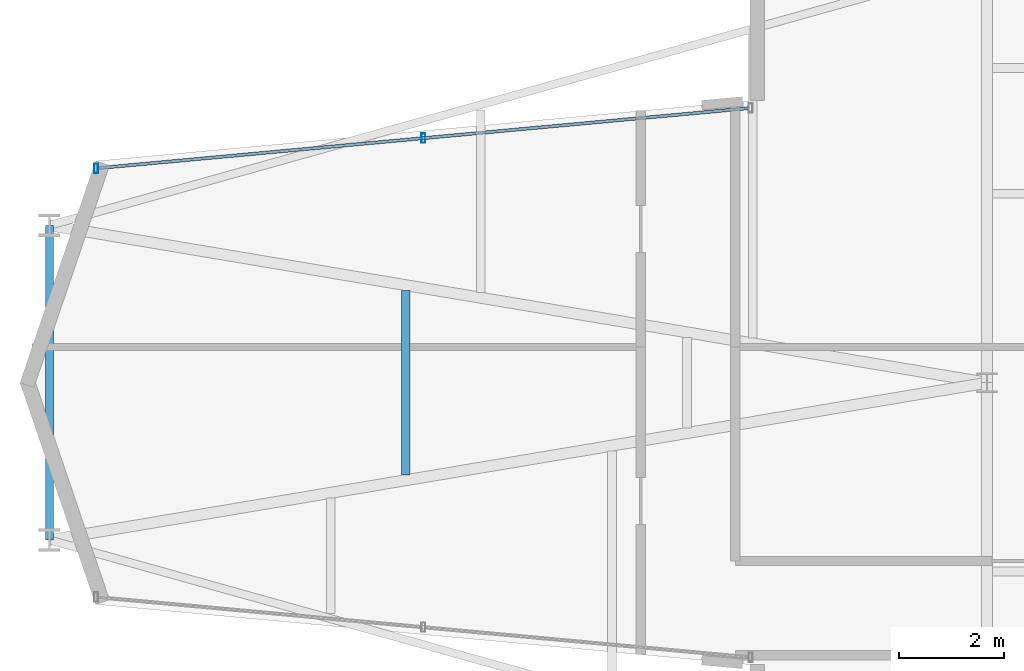
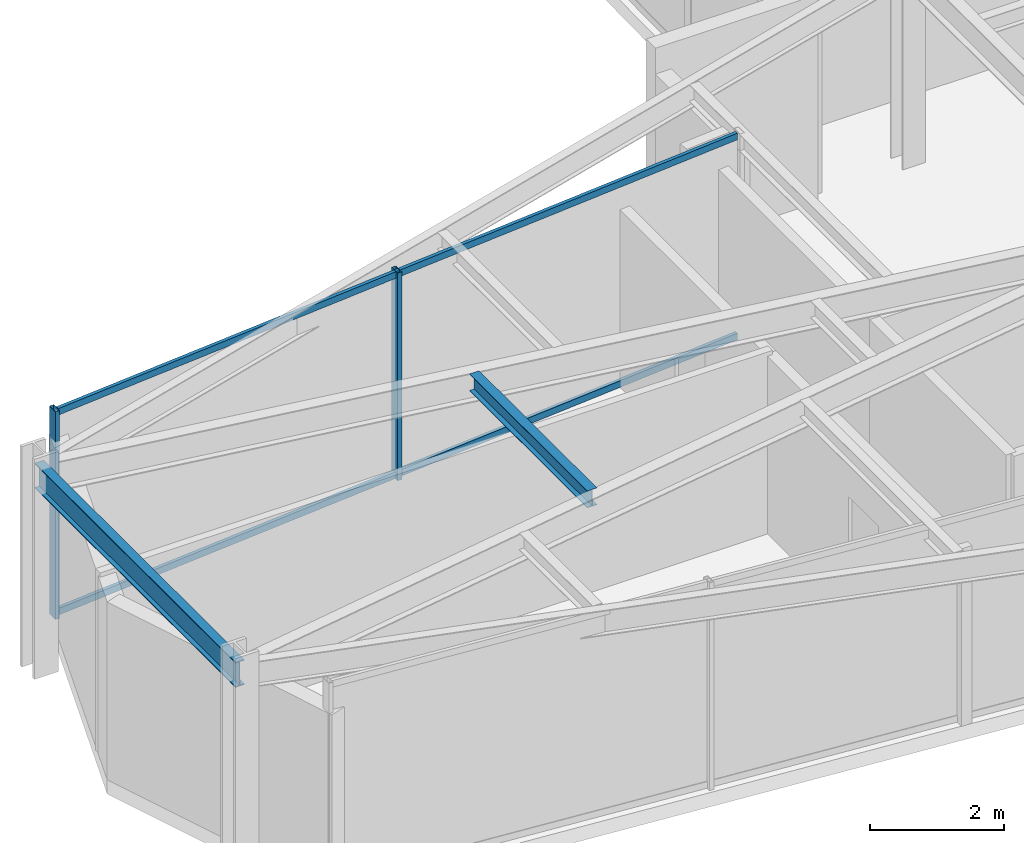
# One storey, part 9 of 22: 4 members, 2 beams, 1 element without a shape of its own.
"""IFC4 building model written with IfcOpenShell, lengths in metres."""

from ifc_helpers import new_model, si_unit, direction, frame, origin, origin_2d, place, context, subcontext, project, spatial, hollow_rectangle, i_section, extrude, material, layer, layer_set, material_profile, profile_set, type_object, element, aggregate, save


model = new_model("IFC4")

# Units and contexts
model_context = context("Model", 3, precision=1e-05, world=origin(), true_north=direction((0.0, 1.0)))
body_context = subcontext(model_context, "Body", "Model", "MODEL_VIEW")
ifc_project = project(units=[si_unit("LENGTHUNIT", "METRE"), si_unit("AREAUNIT", "SQUARE_METRE"), si_unit("VOLUMEUNIT", "CUBIC_METRE"), si_unit("PLANEANGLEUNIT", "RADIAN"), si_unit("MASSUNIT", "GRAM", prefix="KILO")], contexts=[model_context])

# Site, building, storey
site_placement = place(None, origin())
site = spatial("IfcSite", under=ifc_project, at=site_placement, CompositionType="ELEMENT")
building_placement = place(site_placement, origin())
building = spatial("IfcBuilding", under=site, at=building_placement, Name="Veymaron Broadcast Tower", CompositionType="ELEMENT")
storey_placement = place(building_placement, frame((0.0, 0.0, 208.050048828125)))
storey = spatial("IfcBuildingStorey", under=building, at=storey_placement, Name="L48", CompositionType="ELEMENT", Elevation=208.050048828125)

# Beams
ifc_material_1 = material(Name="Structural steel ASTM A992 Gr 50", Category="steel")
ifc_material_profile_1 = material_profile(ifc_material_1, i_section(OverallWidth=0.1650390625, OverallDepth=0.31005859375, WebThickness=0.005859375, FlangeThickness=0.009765625, at=origin_2d()), Name="W310X39")
ifc_profile_set_1 = profile_set([ifc_material_profile_1], Name="Structural steel ASTM A992 Gr 50")
beam_type_1 = type_object("IfcBeamType", Name="BM-JS3", PredefinedType="JOIST", material=ifc_profile_set_1)
beam_1_placement = place(storey_placement, frame((20.114501953125, 22.239990234375, 3.635009765625), z_axis=(0.0, 1.0, 0.0), x_axis=(-1.0, 0.0, 0.0)))
element("IfcBeam", 1, at=beam_1_placement, inside=storey, type_object=beam_type_1, Name="L48 Arm-A secondary joist 1M", PredefinedType="JOIST", context=body_context, shape_type="SweptSolid", body=[
    extrude(i_section(OverallWidth=0.1650390625, OverallDepth=0.31005859375, WebThickness=0.005859375, FlangeThickness=0.009765625, at=origin_2d()), origin(), (0.0, 0.0, 1.0), 3.52001953125),
])
ifc_material_profile_2 = material_profile(ifc_material_1, i_section(OverallWidth=0.154052734375, OverallDepth=0.458984375, WebThickness=0.009033203125, FlangeThickness=0.015380859375, at=origin_2d()), Name="W460X68")
ifc_profile_set_2 = profile_set([ifc_material_profile_2], Name="Structural steel ASTM A992 Gr 50")
beam_type_2 = type_object("IfcBeamType", Name="BM-SP2", PredefinedType="SPANDREL", material=ifc_profile_set_2)
beam_2_placement = place(storey_placement, frame((13.320068359375, 21.0, 3.560546875), z_axis=(0.0, 1.0, 0.0), x_axis=(-1.0, 0.0, 0.0)))
element("IfcBeam", 2, at=beam_2_placement, inside=storey, type_object=beam_type_2, Name="L48 primary structural floor girder", PredefinedType="SPANDREL", context=body_context, shape_type="SweptSolid", body=[
    extrude(i_section(OverallWidth=0.154052734375, OverallDepth=0.458984375, WebThickness=0.009033203125, FlangeThickness=0.015380859375, at=origin_2d()), origin(), (0.0, 0.0, 1.0), 6.0),
])

# Curtain wall, members
ifc_material_2 = material(Name="Anodised aluminium AA 6063-T6 and laminated low-E dark glass", Category="aluminium")
ifc_layer = layer(ifc_material_2, 0.179931640625)
ifc_layer_set = layer_set([ifc_layer], Name="Anodised aluminium AA 6063-T6 and laminated low-E dark glass")
curtain_wall_type = type_object("IfcCurtainWallType", Name="CW-SYS-05", PredefinedType="NOTDEFINED", material=ifc_layer_set)
curtain_wall_placement = place(storey_placement, origin())
curtain_wall = element("IfcCurtainWall", 3, at=curtain_wall_placement, inside=storey, type_object=curtain_wall_type, Name="L48 dark-glass curtain wall CW-L48-E11-1", PredefinedType="NOTDEFINED")
ifc_material_3 = material(Name="Anodised aluminium AA 6063-T6", Category="aluminium")
ifc_material_profile_3 = material_profile(ifc_material_3, hollow_rectangle(XDim=0.074951171875, YDim=0.179931640625, WallThickness=0.0048828125, at=origin_2d()), Name="AL180X75X5")
ifc_profile_set_3 = profile_set([ifc_material_profile_3], Name="Anodised aluminium AA 6063-T6")
member_type_1 = type_object("IfcMemberType", Name="CW-MUL-02", PredefinedType="MULLION", material=ifc_profile_set_3)
member_1_placement = place(storey_placement, frame((20.452880859375, 28.6630859375, 0.0), z_axis=(0.0, 0.0, 1.0), x_axis=(1.0, 0.0, 0.0)))
member_1 = element("IfcMember", 4, at=member_1_placement, type_object=member_type_1, Name="CW-L48-E11-1 mullion 1", PredefinedType="MULLION", context=body_context, shape_type="SweptSolid", body=[
    extrude(hollow_rectangle(XDim=0.074951171875, YDim=0.179931640625, WallThickness=0.0048828125, at=origin_2d()), origin(), (0.0, 0.0, 1.0), 3.7900390625),
])
member_2_placement = place(storey_placement, frame((14.212890625, 28.087646484375, 0.0), z_axis=(0.0, 0.0, 1.0), x_axis=(1.0, 0.0, 0.0)))
member_2 = element("IfcMember", 5, at=member_2_placement, type_object=member_type_1, Name="CW-L48-E11-1 mullion 2", PredefinedType="MULLION", context=body_context, shape_type="SweptSolid", body=[
    extrude(hollow_rectangle(XDim=0.074951171875, YDim=0.179931640625, WallThickness=0.0048828125, at=origin_2d()), origin(), (0.0, 0.0, 1.0), 3.7900390625),
])
ifc_material_profile_4 = material_profile(ifc_material_3, hollow_rectangle(XDim=0.06005859375, YDim=0.1201171875, WallThickness=0.00390625, at=origin_2d()), Name="AL120X60X4")
ifc_profile_set_4 = profile_set([ifc_material_profile_4], Name="Anodised aluminium AA 6063-T6")
member_type_2 = type_object("IfcMemberType", Name="CW-TRN-02", PredefinedType="USERDEFINED", material=ifc_profile_set_4)
member_3_placement = place(storey_placement, frame((26.64306640625, 29.233642578125, 0.070068359375), z_axis=(-0.995777317913, -0.091801596554, 0.0), x_axis=(0.091801596554, -0.995777317913, 0.0)))
member_3 = element("IfcMember", 6, at=member_3_placement, type_object=member_type_2, Name="CW-L48-E11-1 transom B", ObjectType="TRANSOM", PredefinedType="USERDEFINED", context=body_context, shape_type="SweptSolid", body=[
    extrude(hollow_rectangle(XDim=0.06005859375, YDim=0.1201171875, WallThickness=0.00390625, at=origin_2d()), origin(), (0.0, 0.0, 1.0), 12.432861328125),
])
member_4_placement = place(storey_placement, frame((26.64306640625, 29.233642578125, 3.719970703125), z_axis=(-0.995777317913, -0.091801596554, 0.0), x_axis=(0.091801596554, -0.995777317913, 0.0)))
member_4 = element("IfcMember", 7, at=member_4_placement, type_object=member_type_2, Name="CW-L48-E11-1 transom T", ObjectType="TRANSOM", PredefinedType="USERDEFINED", context=body_context, shape_type="SweptSolid", body=[
    extrude(hollow_rectangle(XDim=0.06005859375, YDim=0.1201171875, WallThickness=0.00390625, at=origin_2d()), origin(), (0.0, 0.0, 1.0), 12.432861328125),
])
aggregate(curtain_wall, [member_1, member_2, member_3, member_4])

save(model, "model.ifc")
